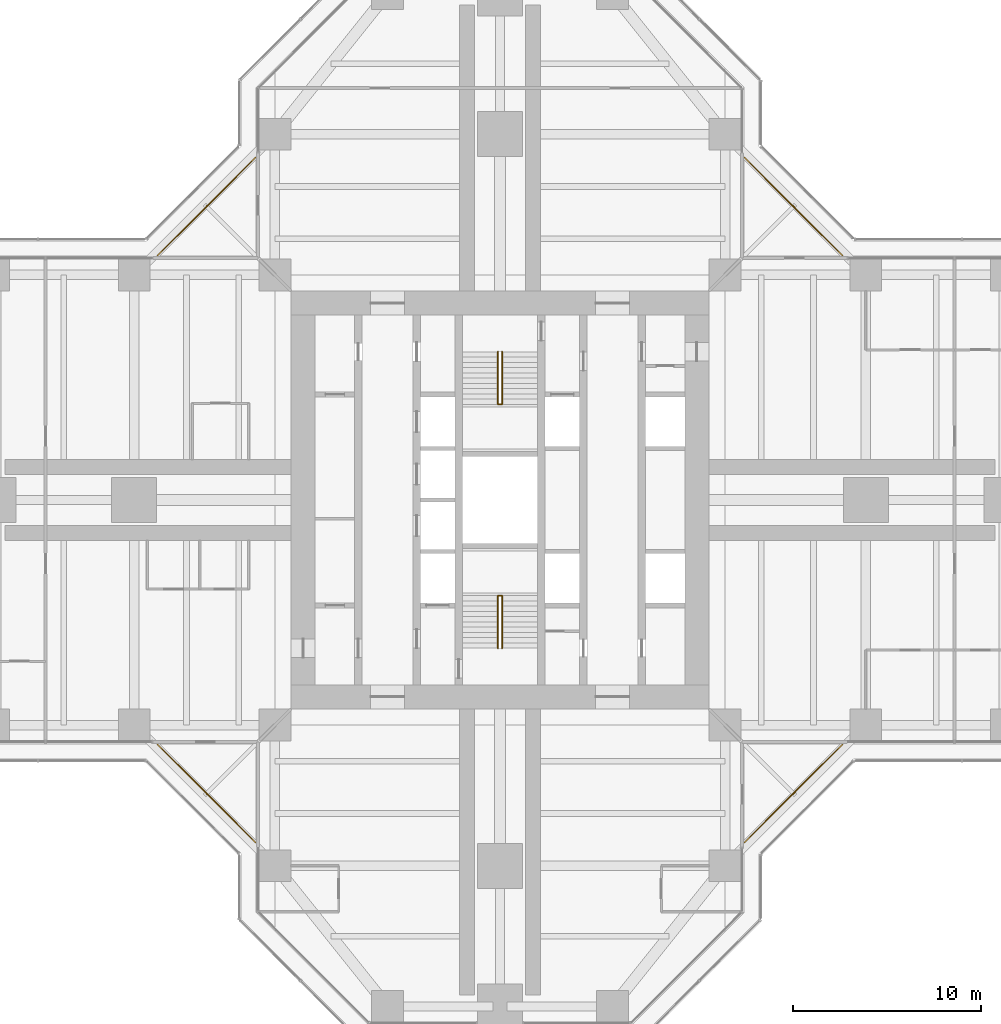
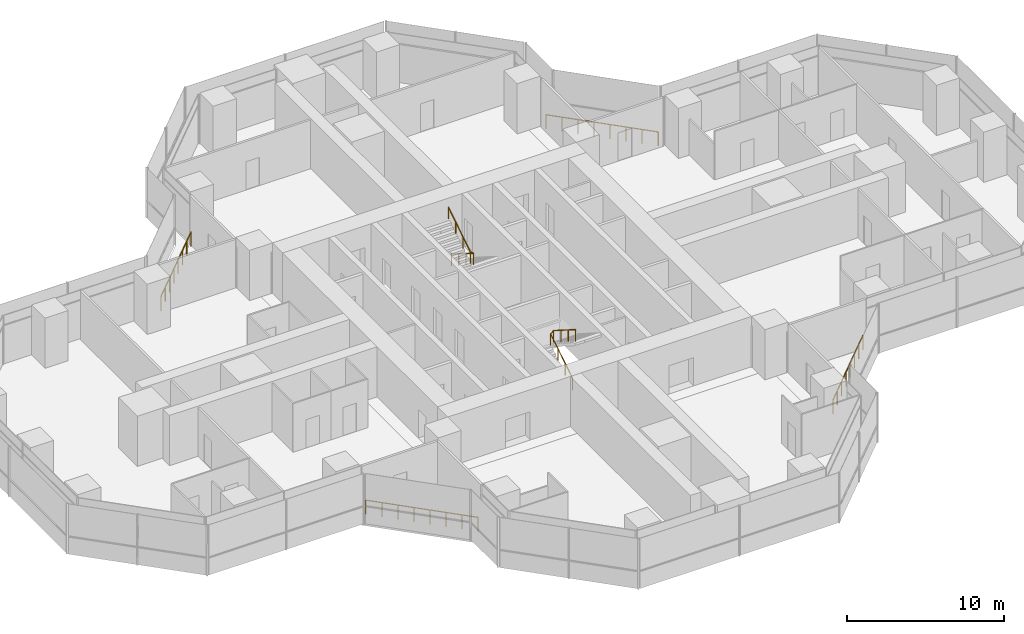
# One storey, part 20 of 20: 6 railings.
"""IFC4 building model written with IfcOpenShell, lengths in metres."""

from ifc_helpers import new_model, si_unit, direction, frame, origin, origin_2d, place, context, subcontext, project, spatial, circle, extrude, material, type_object, element, save


model = new_model("IFC4")

# Units and contexts
model_context = context("Model", 3, precision=1e-05, world=origin(), true_north=direction((0.0, 1.0)))
body_context = subcontext(model_context, "Body", "Model", "MODEL_VIEW")
ifc_project = project(units=[si_unit("LENGTHUNIT", "METRE"), si_unit("AREAUNIT", "SQUARE_METRE"), si_unit("VOLUMEUNIT", "CUBIC_METRE"), si_unit("PLANEANGLEUNIT", "RADIAN"), si_unit("MASSUNIT", "GRAM", prefix="KILO")], contexts=[model_context])

# Site, building, storey
site_placement = place(None, origin())
site = spatial("IfcSite", under=ifc_project, at=site_placement, CompositionType="ELEMENT")
building_placement = place(site_placement, origin())
building = spatial("IfcBuilding", under=site, at=building_placement, Name="Mizan Broadcast Tower", CompositionType="ELEMENT")
storey_placement = place(building_placement, frame((0.0, 0.0, 143.699951171875)))
storey = spatial("IfcBuildingStorey", under=building, at=storey_placement, Name="L32", CompositionType="ELEMENT", Elevation=143.699951171875)

# Railings
ifc_material_1 = material(Name="Stainless steel and glass guard", Category="steel")
railing_type_1 = type_object("IfcRailingType", Name="GUARD 1100", PredefinedType="GUARDRAIL", material=ifc_material_1)
railing_1_placement = place(storey_placement, frame((18.2578125, 13.030029296875, 0.0)))
element("IfcRailing", 1, at=railing_1_placement, inside=storey, type_object=railing_type_1, Name="Winter garden guard L32 E", PredefinedType="GUARDRAIL", context=body_context, shape_type="SweptSolid", body=[
    extrude(circle(Radius=0.02392578125, at=origin_2d()), frame((0.0, 0.0, 1.076171875), z_axis=(-0.707106781187, 0.707106781187, 0.0), x_axis=(-0.707106781187, -0.707106781187, 0.0)), (0.0, 0.0, 1.0), 7.393310546875),
    extrude(circle(Radius=0.02099609375, at=origin_2d()), origin(), (0.0, 0.0, 1.0), 1.052001953125),
    extrude(circle(Radius=0.02099609375, at=origin_2d()), frame((-0.746826171875, 0.746826171875, 0.0)), (0.0, 0.0, 1.0), 1.052001953125),
    extrude(circle(Radius=0.02099609375, at=origin_2d()), frame((-1.49365234375, 1.49365234375, 0.0)), (0.0, 0.0, 1.0), 1.052001953125),
    extrude(circle(Radius=0.02099609375, at=origin_2d()), frame((-2.240478515625, 2.240478515625, 0.0)), (0.0, 0.0, 1.0), 1.052001953125),
    extrude(circle(Radius=0.02099609375, at=origin_2d()), frame((-2.9873046875, 2.9873046875, 0.0)), (0.0, 0.0, 1.0), 1.052001953125),
    extrude(circle(Radius=0.02099609375, at=origin_2d()), frame((-3.734130859375, 3.734130859375, 0.0)), (0.0, 0.0, 1.0), 1.052001953125),
    extrude(circle(Radius=0.02099609375, at=origin_2d()), frame((-4.48095703125, 4.48095703125, 0.0)), (0.0, 0.0, 1.0), 1.052001953125),
    extrude(circle(Radius=0.02099609375, at=origin_2d()), frame((-5.227783203125, 5.227783203125, 0.0)), (0.0, 0.0, 1.0), 1.052001953125),
])
railing_2_placement = place(storey_placement, frame((-13.030029296875, 18.2578125, 0.0)))
element("IfcRailing", 2, at=railing_2_placement, inside=storey, type_object=railing_type_1, Name="Winter garden guard L32 N", PredefinedType="GUARDRAIL", context=body_context, shape_type="SweptSolid", body=[
    extrude(circle(Radius=0.02392578125, at=origin_2d()), frame((0.0, 0.0, 1.076171875), z_axis=(-0.707106781187, -0.707106781187, 0.0), x_axis=(0.707106781187, -0.707106781187, 0.0)), (0.0, 0.0, 1.0), 7.393310546875),
    extrude(circle(Radius=0.02099609375, at=origin_2d()), origin(), (0.0, 0.0, 1.0), 1.052001953125),
    extrude(circle(Radius=0.02099609375, at=origin_2d()), frame((-0.746826171875, -0.746826171875, 0.0)), (0.0, 0.0, 1.0), 1.052001953125),
    extrude(circle(Radius=0.02099609375, at=origin_2d()), frame((-1.49365234375, -1.49365234375, 0.0)), (0.0, 0.0, 1.0), 1.052001953125),
    extrude(circle(Radius=0.02099609375, at=origin_2d()), frame((-2.240478515625, -2.240478515625, 0.0)), (0.0, 0.0, 1.0), 1.052001953125),
    extrude(circle(Radius=0.02099609375, at=origin_2d()), frame((-2.9873046875, -2.9873046875, 0.0)), (0.0, 0.0, 1.0), 1.052001953125),
    extrude(circle(Radius=0.02099609375, at=origin_2d()), frame((-3.734130859375, -3.734130859375, 0.0)), (0.0, 0.0, 1.0), 1.052001953125),
    extrude(circle(Radius=0.02099609375, at=origin_2d()), frame((-4.48095703125, -4.48095703125, 0.0)), (0.0, 0.0, 1.0), 1.052001953125),
    extrude(circle(Radius=0.02099609375, at=origin_2d()), frame((-5.227783203125, -5.227783203125, 0.0)), (0.0, 0.0, 1.0), 1.052001953125),
])
railing_3_placement = place(storey_placement, frame((-18.2578125, -13.030029296875, 0.0)))
element("IfcRailing", 3, at=railing_3_placement, inside=storey, type_object=railing_type_1, Name="Winter garden guard L32 W", PredefinedType="GUARDRAIL", context=body_context, shape_type="SweptSolid", body=[
    extrude(circle(Radius=0.02392578125, at=origin_2d()), frame((0.0, 0.0, 1.076171875), z_axis=(0.707106781187, -0.707106781187, 0.0), x_axis=(0.707106781187, 0.707106781187, 0.0)), (0.0, 0.0, 1.0), 7.393310546875),
    extrude(circle(Radius=0.02099609375, at=origin_2d()), origin(), (0.0, 0.0, 1.0), 1.052001953125),
    extrude(circle(Radius=0.02099609375, at=origin_2d()), frame((0.746826171875, -0.746826171875, 0.0)), (0.0, 0.0, 1.0), 1.052001953125),
    extrude(circle(Radius=0.02099609375, at=origin_2d()), frame((1.49365234375, -1.49365234375, 0.0)), (0.0, 0.0, 1.0), 1.052001953125),
    extrude(circle(Radius=0.02099609375, at=origin_2d()), frame((2.240478515625, -2.240478515625, 0.0)), (0.0, 0.0, 1.0), 1.052001953125),
    extrude(circle(Radius=0.02099609375, at=origin_2d()), frame((2.9873046875, -2.9873046875, 0.0)), (0.0, 0.0, 1.0), 1.052001953125),
    extrude(circle(Radius=0.02099609375, at=origin_2d()), frame((3.734130859375, -3.734130859375, 0.0)), (0.0, 0.0, 1.0), 1.052001953125),
    extrude(circle(Radius=0.02099609375, at=origin_2d()), frame((4.48095703125, -4.48095703125, 0.0)), (0.0, 0.0, 1.0), 1.052001953125),
    extrude(circle(Radius=0.02099609375, at=origin_2d()), frame((5.227783203125, -5.227783203125, 0.0)), (0.0, 0.0, 1.0), 1.052001953125),
])
railing_4_placement = place(storey_placement, frame((13.030029296875, -18.2578125, 0.0)))
element("IfcRailing", 4, at=railing_4_placement, inside=storey, type_object=railing_type_1, Name="Winter garden guard L32 S", PredefinedType="GUARDRAIL", context=body_context, shape_type="SweptSolid", body=[
    extrude(circle(Radius=0.02392578125, at=origin_2d()), frame((0.0, 0.0, 1.076171875), z_axis=(0.707106781187, 0.707106781187, 0.0), x_axis=(-0.707106781187, 0.707106781187, 0.0)), (0.0, 0.0, 1.0), 7.393310546875),
    extrude(circle(Radius=0.02099609375, at=origin_2d()), origin(), (0.0, 0.0, 1.0), 1.052001953125),
    extrude(circle(Radius=0.02099609375, at=origin_2d()), frame((0.746826171875, 0.746826171875, 0.0)), (0.0, 0.0, 1.0), 1.052001953125),
    extrude(circle(Radius=0.02099609375, at=origin_2d()), frame((1.49365234375, 1.49365234375, 0.0)), (0.0, 0.0, 1.0), 1.052001953125),
    extrude(circle(Radius=0.02099609375, at=origin_2d()), frame((2.240478515625, 2.240478515625, 0.0)), (0.0, 0.0, 1.0), 1.052001953125),
    extrude(circle(Radius=0.02099609375, at=origin_2d()), frame((2.9873046875, 2.9873046875, 0.0)), (0.0, 0.0, 1.0), 1.052001953125),
    extrude(circle(Radius=0.02099609375, at=origin_2d()), frame((3.734130859375, 3.734130859375, 0.0)), (0.0, 0.0, 1.0), 1.052001953125),
    extrude(circle(Radius=0.02099609375, at=origin_2d()), frame((4.48095703125, 4.48095703125, 0.0)), (0.0, 0.0, 1.0), 1.052001953125),
    extrude(circle(Radius=0.02099609375, at=origin_2d()), frame((5.227783203125, 5.227783203125, 0.0)), (0.0, 0.0, 1.0), 1.052001953125),
])
ifc_material_2 = material(Name="Stainless steel", Category="steel")
railing_type_2 = type_object("IfcRailingType", Name="HANDRAIL 50", PredefinedType="HANDRAIL", material=ifc_material_2)
railing_5_placement = place(storey_placement, frame((-0.110107421875, -7.89990234375, 0.17724609375)))
element("IfcRailing", 5, at=railing_5_placement, inside=storey, type_object=railing_type_2, Name="Stair A handrail", PredefinedType="HANDRAIL", context=body_context, shape_type="SweptSolid", body=[
    extrude(circle(Radius=0.02392578125, at=origin_2d()), frame((0.0, 0.0, 0.8759765625), z_axis=(0.0, 0.844887892834, 0.53494340686), x_axis=(-1.0, 0.0, 0.0)), (0.0, 0.0, 1.0), 3.313720703125),
    extrude(circle(Radius=0.02392578125, at=origin_2d()), frame((0.0, 2.7998046875, 2.6484375), z_axis=(0.77858989007, 0.0, 0.627533093216), x_axis=(0.0, 1.0, 0.0)), (0.0, 0.0, 1.0), 0.282958984375),
    extrude(circle(Radius=0.02392578125, at=origin_2d()), frame((0.22021484375, 2.7998046875, 2.826171875), z_axis=(0.0, -0.844887892834, 0.53494340686), x_axis=(1.0, 0.0, 0.0)), (0.0, 0.0, 1.0), 3.313720703125),
    extrude(circle(Radius=0.02099609375, at=origin_2d()), origin(), (0.0, 0.0, 1.0), 0.851806640625),
    extrude(circle(Radius=0.02099609375, at=origin_2d()), frame((0.0, 0.933349609375, 0.5908203125)), (0.0, 0.0, 1.0), 0.851806640625),
    extrude(circle(Radius=0.02099609375, at=origin_2d()), frame((0.0, 1.866455078125, 1.181884765625)), (0.0, 0.0, 1.0), 0.851806640625),
    extrude(circle(Radius=0.02099609375, at=origin_2d()), frame((0.0, 2.7998046875, 1.772705078125)), (0.0, 0.0, 1.0), 0.851806640625),
    extrude(circle(Radius=0.02099609375, at=origin_2d()), frame((0.22021484375, 2.7998046875, 1.9501953125)), (0.0, 0.0, 1.0), 0.851806640625),
    extrude(circle(Radius=0.02099609375, at=origin_2d()), frame((0.22021484375, 1.866455078125, 2.541015625)), (0.0, 0.0, 1.0), 0.851806640625),
    extrude(circle(Radius=0.02099609375, at=origin_2d()), frame((0.22021484375, 0.933349609375, 3.132080078125)), (0.0, 0.0, 1.0), 0.851806640625),
    extrude(circle(Radius=0.02099609375, at=origin_2d()), frame((0.22021484375, 0.0, 3.722900390625)), (0.0, 0.0, 1.0), 0.851806640625),
])
railing_6_placement = place(storey_placement, frame((0.110107421875, 7.89990234375, 0.17724609375)))
element("IfcRailing", 6, at=railing_6_placement, inside=storey, type_object=railing_type_2, Name="Stair B handrail", PredefinedType="HANDRAIL", context=body_context, shape_type="SweptSolid", body=[
    extrude(circle(Radius=0.02392578125, at=origin_2d()), frame((0.0, 0.0, 0.8759765625), z_axis=(0.0, -0.844887892834, 0.53494340686), x_axis=(1.0, 0.0, 0.0)), (0.0, 0.0, 1.0), 3.313720703125),
    extrude(circle(Radius=0.02392578125, at=origin_2d()), frame((0.0, -2.7998046875, 2.6484375), z_axis=(-0.77858989007, 0.0, 0.627533093216), x_axis=(0.0, -1.0, 0.0)), (0.0, 0.0, 1.0), 0.282958984375),
    extrude(circle(Radius=0.02392578125, at=origin_2d()), frame((-0.22021484375, -2.7998046875, 2.826171875), z_axis=(0.0, 0.844887892834, 0.53494340686), x_axis=(-1.0, 0.0, 0.0)), (0.0, 0.0, 1.0), 3.313720703125),
    extrude(circle(Radius=0.02099609375, at=origin_2d()), origin(), (0.0, 0.0, 1.0), 0.851806640625),
    extrude(circle(Radius=0.02099609375, at=origin_2d()), frame((0.0, -0.933349609375, 0.5908203125)), (0.0, 0.0, 1.0), 0.851806640625),
    extrude(circle(Radius=0.02099609375, at=origin_2d()), frame((0.0, -1.866455078125, 1.181884765625)), (0.0, 0.0, 1.0), 0.851806640625),
    extrude(circle(Radius=0.02099609375, at=origin_2d()), frame((0.0, -2.7998046875, 1.772705078125)), (0.0, 0.0, 1.0), 0.851806640625),
    extrude(circle(Radius=0.02099609375, at=origin_2d()), frame((-0.22021484375, -2.7998046875, 1.9501953125)), (0.0, 0.0, 1.0), 0.851806640625),
    extrude(circle(Radius=0.02099609375, at=origin_2d()), frame((-0.22021484375, -1.866455078125, 2.541015625)), (0.0, 0.0, 1.0), 0.851806640625),
    extrude(circle(Radius=0.02099609375, at=origin_2d()), frame((-0.22021484375, -0.933349609375, 3.132080078125)), (0.0, 0.0, 1.0), 0.851806640625),
    extrude(circle(Radius=0.02099609375, at=origin_2d()), frame((-0.22021484375, 0.0, 3.722900390625)), (0.0, 0.0, 1.0), 0.851806640625),
])

save(model, "model.ifc")
